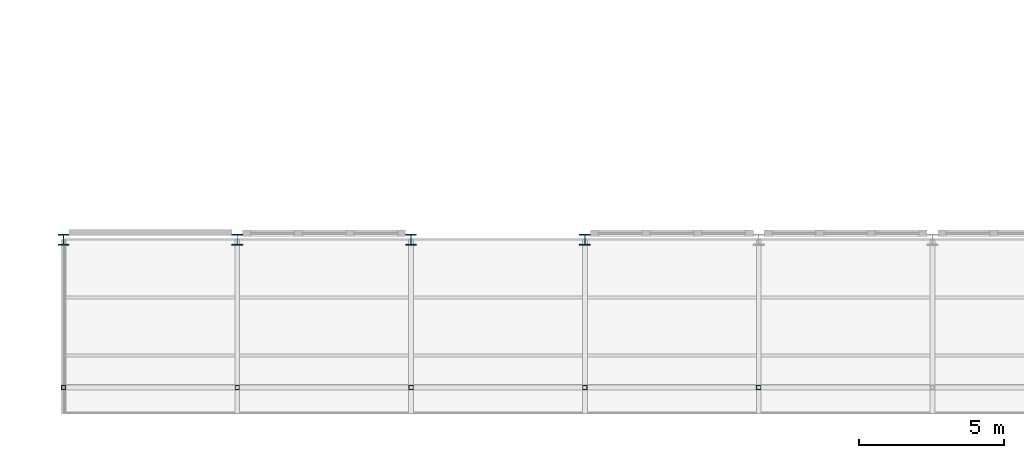
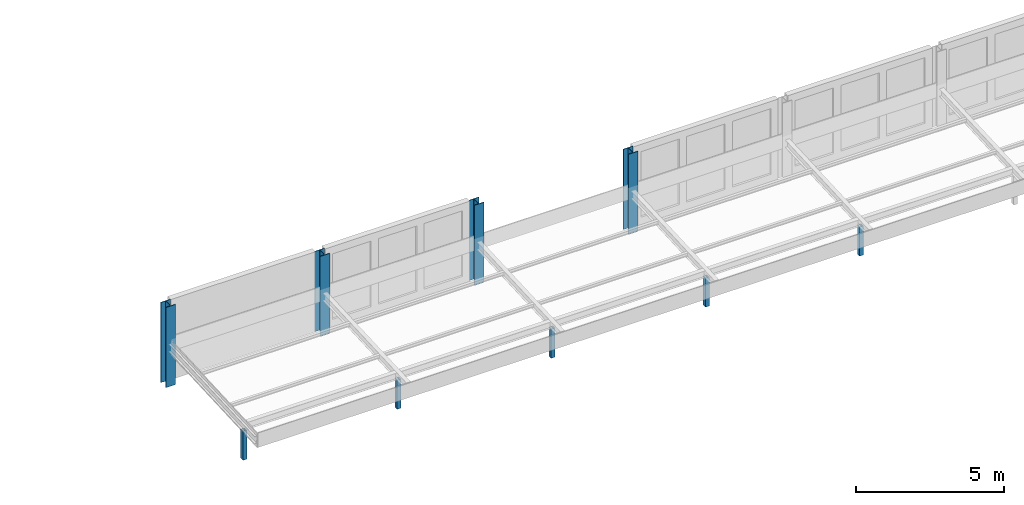
# One storey, part 1 of 214: 9 columns.
"""IFC4 building model written with IfcOpenShell, lengths in metres."""

from ifc_helpers import new_model, si_unit, direction, frame, origin, origin_2d, place, context, subcontext, project, spatial, hollow_rectangle, i_section, extrude, material, material_profile, profile_set, type_object, element, save


model = new_model("IFC4")

# Units and contexts
model_context = context("Model", 3, precision=1e-05, world=origin(), true_north=direction((0.0, 1.0)))
body_context = subcontext(model_context, "Body", "Model", "MODEL_VIEW")
ifc_project = project(units=[si_unit("LENGTHUNIT", "METRE"), si_unit("AREAUNIT", "SQUARE_METRE"), si_unit("VOLUMEUNIT", "CUBIC_METRE"), si_unit("PLANEANGLEUNIT", "RADIAN"), si_unit("MASSUNIT", "GRAM", prefix="KILO")], contexts=[model_context])

# Site, building, storey
site_placement = place(None, origin())
site = spatial("IfcSite", under=ifc_project, at=site_placement, CompositionType="ELEMENT")
building_placement = place(site_placement, origin())
building = spatial("IfcBuilding", under=site, at=building_placement, Name="Parallax Yard Mobility Hub", CompositionType="ELEMENT")
storey_placement = place(building_placement, frame((0.0, 0.0, 3.300048828125)))
storey = spatial("IfcBuildingStorey", under=building, at=storey_placement, Name="L01", CompositionType="ELEMENT", Elevation=3.300048828125)

# Columns
ifc_material_1 = material(Name="Steel ASTM A500 Gr C", Category="steel")
ifc_material_profile_1 = material_profile(ifc_material_1, hollow_rectangle(XDim=0.15234375, YDim=0.15234375, WallThickness=0.009521484375, at=origin_2d()), Name="HSS152x152x9.5")
ifc_profile_set_1 = profile_set([ifc_material_profile_1], Name="Steel ASTM A500 Gr C")
column_type_1 = type_object("IfcColumnType", Name="Roof column HSS152x152x9.5", PredefinedType="COLUMN", material=ifc_profile_set_1)
for number, where, z_axis, x_axis, name in (
    (1, (9.0, 2.39990234375, 0.0), (0.0, 0.0, 1.0), (1.0, 0.0, 0.0), "Arcade column V1 1 level L01"),
    (2, (15.0, 2.39990234375, 0.0), (0.0, 0.0, 1.0), (1.0, 0.0, 0.0), "Arcade column V1 2 level L01"),
    (3, (21.0, 2.39990234375, 0.0), (0.0, 0.0, 1.0), (1.0, 0.0, 0.0), "Arcade column V1 3 level L01"),
    (4, (27.0, 2.39990234375, 0.0), (0.0, 0.0, 1.0), (1.0, 0.0, 0.0), "Arcade column V1 4 level L01"),
    (5, (33.0, 2.39990234375, 0.0), (0.0, 0.0, 1.0), (1.0, 0.0, 0.0), "Arcade column V1 5 level L01"),
):
    element("IfcColumn", number, at=place(storey_placement, frame(where, z_axis=z_axis, x_axis=x_axis)), inside=storey, type_object=column_type_1, Name=name, PredefinedType="COLUMN", context=body_context, shape_type="SweptSolid", body=[
        extrude(hollow_rectangle(XDim=0.15234375, YDim=0.15234375, WallThickness=0.009521484375, at=origin_2d()), origin(), (0.0, 0.0, 1.0), 1.199951171875),
    ])
ifc_material_2 = material(Name="Steel ASTM A992", Category="steel")
ifc_material_profile_2 = material_profile(ifc_material_2, i_section(OverallWidth=0.373046875, OverallDepth=0.367919921875, WebThickness=0.014892578125, FlangeThickness=0.02392578125, FilletRadius=0.01513671875, at=origin_2d()), Name="W360x179")
ifc_profile_set_2 = profile_set([ifc_material_profile_2], Name="Steel ASTM A992")
column_type_2 = type_object("IfcColumnType", Name="W360x179 column", PredefinedType="COLUMN", material=ifc_profile_set_2)
for number, where, z_axis, x_axis, name in (
    (6, (9.0, 7.5, 0.0), (0.0, 0.0, 1.0), (1.0, 0.0, 0.0), "Column C7 level L01 at F1/B of bus and taxi deck"),
    (7, (15.0, 7.5, 0.0), (0.0, 0.0, 1.0), (1.0, 0.0, 0.0), "Column C7 level L01 at F2/B of bus and taxi deck"),
    (8, (21.0, 7.5, 0.0), (0.0, 0.0, 1.0), (1.0, 0.0, 0.0), "Column C7 level L01 at F3/B of bus and taxi deck"),
    (9, (27.0, 7.5, 0.0), (0.0, 0.0, 1.0), (1.0, 0.0, 0.0), "Column C7 level L01 at F4/B of bus and taxi deck"),
):
    element("IfcColumn", number, at=place(storey_placement, frame(where, z_axis=z_axis, x_axis=x_axis)), inside=storey, type_object=column_type_2, Name=name, PredefinedType="COLUMN", context=body_context, shape_type="SweptSolid", body=[
        extrude(i_section(OverallWidth=0.373046875, OverallDepth=0.367919921875, WebThickness=0.014892578125, FlangeThickness=0.02392578125, FilletRadius=0.01513671875, at=origin_2d()), origin(), (0.0, 0.0, 1.0), 3.300048828125),
    ])

save(model, "model.ifc")
